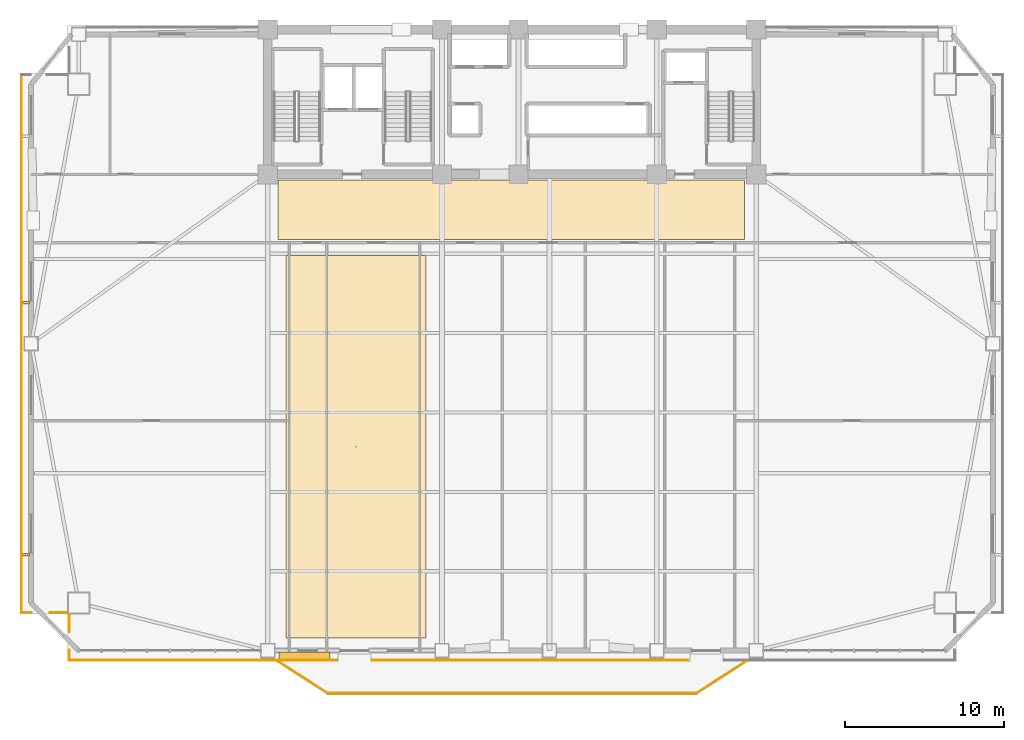
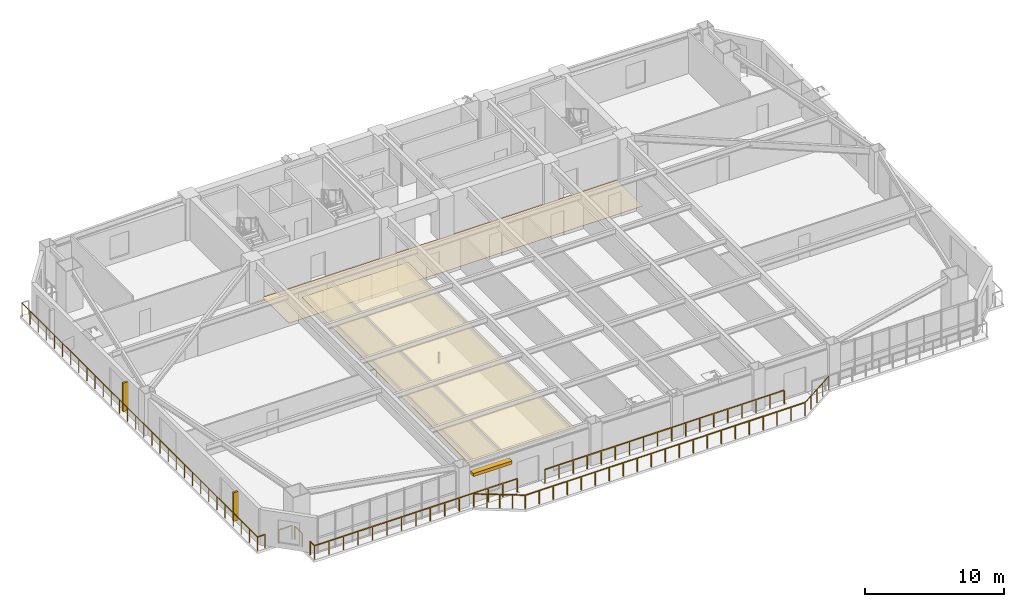
# One storey, part 12 of 15: 10 railings, 3 shading devices, 2 coverings.
"""IFC4 building model written with IfcOpenShell, lengths in metres."""

from ifc_helpers import new_model, si_unit, direction, frame, origin, origin_2d, place, context, subcontext, project, spatial, polyline, rectangle, outline, extrude, source, transform, mapped, material, layer, layer_set, type_object, element, save


model = new_model("IFC4")

# Units and contexts
model_context = context("Model", 3, precision=1e-05, world=origin(), true_north=direction((0.0, 1.0)))
body_context = subcontext(model_context, "Body", "Model", "MODEL_VIEW")
ifc_project = project(units=[si_unit("LENGTHUNIT", "METRE"), si_unit("AREAUNIT", "SQUARE_METRE"), si_unit("VOLUMEUNIT", "CUBIC_METRE"), si_unit("PLANEANGLEUNIT", "RADIAN"), si_unit("MASSUNIT", "GRAM", prefix="KILO")], contexts=[model_context])

# Site, building, storey
site_placement = place(None, origin())
site = spatial("IfcSite", under=ifc_project, at=site_placement, CompositionType="ELEMENT")
building_placement = place(site_placement, origin())
building = spatial("IfcBuilding", under=site, at=building_placement, Name="Giltprow Tower", CompositionType="ELEMENT")
storey_placement = place(building_placement, frame((0.0, 0.0, 127.0)))
storey = spatial("IfcBuildingStorey", under=building, at=storey_placement, Name="L31", CompositionType="ELEMENT", Elevation=127.0)

# Coverings
ifc_material_1 = material(Name="Acoustic mineral fibre", Category="gypsum")
ifc_layer_1 = layer(ifc_material_1, 0.030029296875, Name="Acoustic mineral fibre")
ifc_layer_set_1 = layer_set([ifc_layer_1], Name="Acoustic mineral fibre")
covering_type_1 = type_object("IfcCoveringType", Name="COV-CLG-ACOUSTIC", PredefinedType="CEILING", material=ifc_layer_set_1)
covering_1_placement = place(storey_placement, frame((0.0, 0.0, 2.719970703125)))
element("IfcCovering", 1, at=covering_1_placement, inside=storey, type_object=covering_type_1, Name="L31 Office Acoustic Ceiling", PredefinedType="CEILING", context=body_context, shape_type="SweptSolid", body=[
    extrude(outline(polyline([(21.0, 8.318115234375), (29.800048828125, 8.318115234375), (29.800048828125, 32.35009765625), (21.0, 32.35009765625), (21.0, 8.318115234375)])), origin(), (0.0, 0.0, 1.0), 0.030029296875),
])
ifc_material_2 = material(Name="Honed granite", Category="masonry")
ifc_layer_2 = layer(ifc_material_2, 0.030029296875, Name="Honed granite")
ifc_layer_set_2 = layer_set([ifc_layer_2], Name="Honed granite")
covering_type_2 = type_object("IfcCoveringType", Name="COV-FLR-STONE", PredefinedType="FLOORING", material=ifc_layer_set_2)
covering_2_placement = place(storey_placement, origin())
element("IfcCovering", 2, at=covering_2_placement, inside=storey, type_object=covering_type_2, Name="L31 Office Corridor Stone Flooring", PredefinedType="FLOORING", context=body_context, shape_type="SweptSolid", body=[
    extrude(outline(polyline([(20.5, 33.35009765625), (49.800048828125, 33.35009765625), (49.800048828125, 37.10009765625), (20.5, 37.10009765625), (20.5, 33.35009765625)])), origin(), (0.0, 0.0, 1.0), 0.030029296875),
])

# Railings
ifc_material_3 = material(Name="Anodized bronze", Category="metal")
railing_type = type_object("IfcRailingType", Name="RAIL-BALC-GUARD-1200", PredefinedType="BALUSTRADE", material=ifc_material_3)
railing_1_placement = place(storey_placement, frame((20.52001953125, 6.818115234375, 0.0)))
element("IfcRailing", 3, at=railing_1_placement, inside=storey, type_object=railing_type, Name="L31 Waterfront Balcony Balustrade Seg 1", PredefinedType="BALUSTRADE", context=body_context, shape_type="SweptSolid", body=[
    extrude(rectangle(XDim=0.048095703125, YDim=0.048095703125, at=origin_2d()), frame((0.0, 0.0, 1.17578125), z_axis=(0.842744768896, -0.5383133423, 0.0), x_axis=(0.5383133423, 0.842744768896, 0.0)), (0.0, 0.0, 1.0), 3.678466796875),
    extrude(rectangle(XDim=0.0419921875, YDim=0.0419921875, at=origin_2d()), origin(), (0.0, 0.0, 1.0), 1.15185546875),
    extrude(rectangle(XDim=0.0419921875, YDim=0.0419921875, at=origin_2d()), frame((0.77490234375, -0.4951171875, 0.0)), (0.0, 0.0, 1.0), 1.15185546875),
    extrude(rectangle(XDim=0.0419921875, YDim=0.0419921875, at=origin_2d()), frame((1.550048828125, -0.990234375, 0.0)), (0.0, 0.0, 1.0), 1.15185546875),
    extrude(rectangle(XDim=0.0419921875, YDim=0.0419921875, at=origin_2d()), frame((2.3251953125, -1.485107421875, 0.0)), (0.0, 0.0, 1.0), 1.15185546875),
    extrude(rectangle(XDim=0.0419921875, YDim=0.0419921875, at=origin_2d()), frame((3.10009765625, -1.980224609375, 0.0)), (0.0, 0.0, 1.0), 1.15185546875),
])
railing_2_placement = place(storey_placement, frame((23.6201171875, 4.837890625, 0.0)))
element("IfcRailing", 4, at=railing_2_placement, inside=storey, type_object=railing_type, Name="L31 Waterfront Balcony Balustrade Seg 2", PredefinedType="BALUSTRADE", context=body_context, shape_type="SweptSolid", body=[
    extrude(rectangle(XDim=0.048095703125, YDim=0.048095703125, at=origin_2d()), frame((0.0, 0.0, 1.17578125), z_axis=(1.0, 0.0, 0.0), x_axis=(0.0, 1.0, 0.0)), (0.0, 0.0, 1.0), 23.159912109375),
    extrude(rectangle(XDim=0.0419921875, YDim=0.0419921875, at=origin_2d()), origin(), (0.0, 0.0, 1.0), 1.15185546875),
    extrude(rectangle(XDim=0.0419921875, YDim=0.0419921875, at=origin_2d()), frame((1.157958984375, 0.0, 0.0)), (0.0, 0.0, 1.0), 1.15185546875),
    extrude(rectangle(XDim=0.0419921875, YDim=0.0419921875, at=origin_2d()), frame((2.31591796875, 0.0, 0.0)), (0.0, 0.0, 1.0), 1.15185546875),
    extrude(rectangle(XDim=0.0419921875, YDim=0.0419921875, at=origin_2d()), frame((3.473876953125, 0.0, 0.0)), (0.0, 0.0, 1.0), 1.15185546875),
    extrude(rectangle(XDim=0.0419921875, YDim=0.0419921875, at=origin_2d()), frame((4.632080078125, 0.0, 0.0)), (0.0, 0.0, 1.0), 1.15185546875),
    extrude(rectangle(XDim=0.0419921875, YDim=0.0419921875, at=origin_2d()), frame((5.7900390625, 0.0, 0.0)), (0.0, 0.0, 1.0), 1.15185546875),
    extrude(rectangle(XDim=0.0419921875, YDim=0.0419921875, at=origin_2d()), frame((6.947998046875, 0.0, 0.0)), (0.0, 0.0, 1.0), 1.15185546875),
    extrude(rectangle(XDim=0.0419921875, YDim=0.0419921875, at=origin_2d()), frame((8.10595703125, 0.0, 0.0)), (0.0, 0.0, 1.0), 1.15185546875),
    extrude(rectangle(XDim=0.0419921875, YDim=0.0419921875, at=origin_2d()), frame((9.263916015625, 0.0, 0.0)), (0.0, 0.0, 1.0), 1.15185546875),
    extrude(rectangle(XDim=0.0419921875, YDim=0.0419921875, at=origin_2d()), frame((10.421875, 0.0, 0.0)), (0.0, 0.0, 1.0), 1.15185546875),
    extrude(rectangle(XDim=0.0419921875, YDim=0.0419921875, at=origin_2d()), frame((11.580078125, 0.0, 0.0)), (0.0, 0.0, 1.0), 1.15185546875),
    extrude(rectangle(XDim=0.0419921875, YDim=0.0419921875, at=origin_2d()), frame((12.738037109375, 0.0, 0.0)), (0.0, 0.0, 1.0), 1.15185546875),
    extrude(rectangle(XDim=0.0419921875, YDim=0.0419921875, at=origin_2d()), frame((13.89599609375, 0.0, 0.0)), (0.0, 0.0, 1.0), 1.15185546875),
    extrude(rectangle(XDim=0.0419921875, YDim=0.0419921875, at=origin_2d()), frame((15.053955078125, 0.0, 0.0)), (0.0, 0.0, 1.0), 1.15185546875),
    extrude(rectangle(XDim=0.0419921875, YDim=0.0419921875, at=origin_2d()), frame((16.2119140625, 0.0, 0.0)), (0.0, 0.0, 1.0), 1.15185546875),
    extrude(rectangle(XDim=0.0419921875, YDim=0.0419921875, at=origin_2d()), frame((17.369873046875, 0.0, 0.0)), (0.0, 0.0, 1.0), 1.15185546875),
    extrude(rectangle(XDim=0.0419921875, YDim=0.0419921875, at=origin_2d()), frame((18.52783203125, 0.0, 0.0)), (0.0, 0.0, 1.0), 1.15185546875),
    extrude(rectangle(XDim=0.0419921875, YDim=0.0419921875, at=origin_2d()), frame((19.68603515625, 0.0, 0.0)), (0.0, 0.0, 1.0), 1.15185546875),
    extrude(rectangle(XDim=0.0419921875, YDim=0.0419921875, at=origin_2d()), frame((20.843994140625, 0.0, 0.0)), (0.0, 0.0, 1.0), 1.15185546875),
    extrude(rectangle(XDim=0.0419921875, YDim=0.0419921875, at=origin_2d()), frame((22.001953125, 0.0, 0.0)), (0.0, 0.0, 1.0), 1.15185546875),
    extrude(rectangle(XDim=0.0419921875, YDim=0.0419921875, at=origin_2d()), frame((23.159912109375, 0.0, 0.0)), (0.0, 0.0, 1.0), 1.15185546875),
])
railing_3_placement = place(storey_placement, frame((46.780029296875, 4.837890625, 0.0)))
element("IfcRailing", 5, at=railing_3_placement, inside=storey, type_object=railing_type, Name="L31 Waterfront Balcony Balustrade Seg 3", PredefinedType="BALUSTRADE", context=body_context, shape_type="SweptSolid", body=[
    extrude(rectangle(XDim=0.048095703125, YDim=0.048095703125, at=origin_2d()), frame((0.0, 0.0, 1.17578125), z_axis=(0.842725534991, 0.538343452336, 0.0), x_axis=(-0.538343452336, 0.842725534991, 0.0)), (0.0, 0.0, 1.0), 3.678466796875),
    extrude(rectangle(XDim=0.0419921875, YDim=0.0419921875, at=origin_2d()), origin(), (0.0, 0.0, 1.0), 1.15185546875),
    extrude(rectangle(XDim=0.0419921875, YDim=0.0419921875, at=origin_2d()), frame((0.77490234375, 0.4951171875, 0.0)), (0.0, 0.0, 1.0), 1.15185546875),
    extrude(rectangle(XDim=0.0419921875, YDim=0.0419921875, at=origin_2d()), frame((1.5498046875, 0.990234375, 0.0)), (0.0, 0.0, 1.0), 1.15185546875),
    extrude(rectangle(XDim=0.0419921875, YDim=0.0419921875, at=origin_2d()), frame((2.324951171875, 1.485107421875, 0.0)), (0.0, 0.0, 1.0), 1.15185546875),
    extrude(rectangle(XDim=0.0419921875, YDim=0.0419921875, at=origin_2d()), frame((3.099853515625, 1.980224609375, 0.0)), (0.0, 0.0, 1.0), 1.15185546875),
])
railing_4_placement = place(storey_placement, frame((7.3701171875, 6.91796875, 0.0)))
element("IfcRailing", 6, at=railing_4_placement, inside=storey, type_object=railing_type, Name="L31 Corner Apron Edge Balustrade 1", PredefinedType="BALUSTRADE", context=body_context, shape_type="SweptSolid", body=[
    extrude(rectangle(XDim=0.048095703125, YDim=0.048095703125, at=origin_2d()), frame((0.0, 0.0, 1.17578125), z_axis=(0.0, 1.0, 0.0), x_axis=(-1.0, 0.0, 0.0)), (0.0, 0.0, 1.0), 0.6201171875),
    extrude(rectangle(XDim=0.0419921875, YDim=0.0419921875, at=origin_2d()), origin(), (0.0, 0.0, 1.0), 1.15185546875),
    extrude(rectangle(XDim=0.0419921875, YDim=0.0419921875, at=origin_2d()), frame((0.0, 0.6201171875, 0.0)), (0.0, 0.0, 1.0), 1.15185546875),
])
railing_5_placement = place(storey_placement, frame((7.3701171875, 8.697998046875, 0.0)))
element("IfcRailing", 7, at=railing_5_placement, inside=storey, type_object=railing_type, Name="L31 Corner Apron Edge Balustrade 2", PredefinedType="BALUSTRADE", context=body_context, shape_type="SweptSolid", body=[
    extrude(rectangle(XDim=0.048095703125, YDim=0.048095703125, at=origin_2d()), frame((0.0, 0.0, 1.17578125), z_axis=(0.0, 1.0, 0.0), x_axis=(-1.0, 0.0, 0.0)), (0.0, 0.0, 1.0), 1.075927734375),
    extrude(rectangle(XDim=0.0419921875, YDim=0.0419921875, at=origin_2d()), origin(), (0.0, 0.0, 1.0), 1.15185546875),
    extrude(rectangle(XDim=0.0419921875, YDim=0.0419921875, at=origin_2d()), frame((0.0, 1.075927734375, 0.0)), (0.0, 0.0, 1.0), 1.15185546875),
])
railing_6_placement = place(storey_placement, frame((7.235107421875, 9.908935546875, 0.0)))
element("IfcRailing", 8, at=railing_6_placement, inside=storey, type_object=railing_type, Name="L31 Corner Apron Edge Balustrade 3", PredefinedType="BALUSTRADE", context=body_context, shape_type="SweptSolid", body=[
    extrude(rectangle(XDim=0.048095703125, YDim=0.048095703125, at=origin_2d()), frame((0.0, 0.0, 1.17578125), z_axis=(-1.0, 0.0, 0.0), x_axis=(0.0, -1.0, 0.0)), (0.0, 0.0, 1.0), 1.076171875),
    extrude(rectangle(XDim=0.0419921875, YDim=0.0419921875, at=origin_2d()), origin(), (0.0, 0.0, 1.0), 1.15185546875),
    extrude(rectangle(XDim=0.0419921875, YDim=0.0419921875, at=origin_2d()), frame((-1.076171875, 0.0, 0.0)), (0.0, 0.0, 1.0), 1.15185546875),
])
railing_7_placement = place(storey_placement, frame((4.9990234375, 9.908935546875, 0.0)))
element("IfcRailing", 9, at=railing_7_placement, inside=storey, type_object=railing_type, Name="L31 Corner Apron Edge Balustrade 4", PredefinedType="BALUSTRADE", context=body_context, shape_type="SweptSolid", body=[
    extrude(rectangle(XDim=0.048095703125, YDim=0.048095703125, at=origin_2d()), frame((0.0, 0.0, 1.17578125), z_axis=(-1.0, 0.0, 0.0), x_axis=(0.0, -1.0, 0.0)), (0.0, 0.0, 1.0), 0.6201171875),
    extrude(rectangle(XDim=0.0419921875, YDim=0.0419921875, at=origin_2d()), origin(), (0.0, 0.0, 1.0), 1.15185546875),
    extrude(rectangle(XDim=0.0419921875, YDim=0.0419921875, at=origin_2d()), frame((-0.6201171875, 0.0, 0.0)), (0.0, 0.0, 1.0), 1.15185546875),
])
railing_8_placement = place(storey_placement, frame((4.37890625, 9.908935546875, 0.0)))
element("IfcRailing", 10, at=railing_8_placement, inside=storey, type_object=railing_type, Name="L31 Corner Apron Edge Balustrade 5", PredefinedType="BALUSTRADE", context=body_context, shape_type="SweptSolid", body=[
    extrude(rectangle(XDim=0.048095703125, YDim=0.048095703125, at=origin_2d()), frame((0.0, 0.0, 1.17578125), z_axis=(0.0, 1.0, 0.0), x_axis=(-1.0, 0.0, 0.0)), (0.0, 0.0, 1.0), 33.800048828125),
    extrude(rectangle(XDim=0.0419921875, YDim=0.0419921875, at=origin_2d()), origin(), (0.0, 0.0, 1.0), 1.15185546875),
    extrude(rectangle(XDim=0.0419921875, YDim=0.0419921875, at=origin_2d()), frame((0.0, 1.16552734375, 0.0)), (0.0, 0.0, 1.0), 1.15185546875),
    extrude(rectangle(XDim=0.0419921875, YDim=0.0419921875, at=origin_2d()), frame((0.0, 2.3310546875, 0.0)), (0.0, 0.0, 1.0), 1.15185546875),
    extrude(rectangle(XDim=0.0419921875, YDim=0.0419921875, at=origin_2d()), frame((0.0, 3.49658203125, 0.0)), (0.0, 0.0, 1.0), 1.15185546875),
    extrude(rectangle(XDim=0.0419921875, YDim=0.0419921875, at=origin_2d()), frame((0.0, 4.662109375, 0.0)), (0.0, 0.0, 1.0), 1.15185546875),
    extrude(rectangle(XDim=0.0419921875, YDim=0.0419921875, at=origin_2d()), frame((0.0, 5.82763671875, 0.0)), (0.0, 0.0, 1.0), 1.15185546875),
    extrude(rectangle(XDim=0.0419921875, YDim=0.0419921875, at=origin_2d()), frame((0.0, 6.9931640625, 0.0)), (0.0, 0.0, 1.0), 1.15185546875),
    extrude(rectangle(XDim=0.0419921875, YDim=0.0419921875, at=origin_2d()), frame((0.0, 8.15869140625, 0.0)), (0.0, 0.0, 1.0), 1.15185546875),
    extrude(rectangle(XDim=0.0419921875, YDim=0.0419921875, at=origin_2d()), frame((0.0, 9.32421875, 0.0)), (0.0, 0.0, 1.0), 1.15185546875),
    extrude(rectangle(XDim=0.0419921875, YDim=0.0419921875, at=origin_2d()), frame((0.0, 10.48974609375, 0.0)), (0.0, 0.0, 1.0), 1.15185546875),
    extrude(rectangle(XDim=0.0419921875, YDim=0.0419921875, at=origin_2d()), frame((0.0, 11.6552734375, 0.0)), (0.0, 0.0, 1.0), 1.15185546875),
    extrude(rectangle(XDim=0.0419921875, YDim=0.0419921875, at=origin_2d()), frame((0.0, 12.82080078125, 0.0)), (0.0, 0.0, 1.0), 1.15185546875),
    extrude(rectangle(XDim=0.0419921875, YDim=0.0419921875, at=origin_2d()), frame((0.0, 13.986328125, 0.0)), (0.0, 0.0, 1.0), 1.15185546875),
    extrude(rectangle(XDim=0.0419921875, YDim=0.0419921875, at=origin_2d()), frame((0.0, 15.15185546875, 0.0)), (0.0, 0.0, 1.0), 1.15185546875),
    extrude(rectangle(XDim=0.0419921875, YDim=0.0419921875, at=origin_2d()), frame((0.0, 16.3173828125, 0.0)), (0.0, 0.0, 1.0), 1.15185546875),
    extrude(rectangle(XDim=0.0419921875, YDim=0.0419921875, at=origin_2d()), frame((0.0, 17.482666015625, 0.0)), (0.0, 0.0, 1.0), 1.15185546875),
    extrude(rectangle(XDim=0.0419921875, YDim=0.0419921875, at=origin_2d()), frame((0.0, 18.648193359375, 0.0)), (0.0, 0.0, 1.0), 1.15185546875),
    extrude(rectangle(XDim=0.0419921875, YDim=0.0419921875, at=origin_2d()), frame((0.0, 19.813720703125, 0.0)), (0.0, 0.0, 1.0), 1.15185546875),
    extrude(rectangle(XDim=0.0419921875, YDim=0.0419921875, at=origin_2d()), frame((0.0, 20.979248046875, 0.0)), (0.0, 0.0, 1.0), 1.15185546875),
    extrude(rectangle(XDim=0.0419921875, YDim=0.0419921875, at=origin_2d()), frame((0.0, 22.144775390625, 0.0)), (0.0, 0.0, 1.0), 1.15185546875),
    extrude(rectangle(XDim=0.0419921875, YDim=0.0419921875, at=origin_2d()), frame((0.0, 23.310302734375, 0.0)), (0.0, 0.0, 1.0), 1.15185546875),
    extrude(rectangle(XDim=0.0419921875, YDim=0.0419921875, at=origin_2d()), frame((0.0, 24.475830078125, 0.0)), (0.0, 0.0, 1.0), 1.15185546875),
    extrude(rectangle(XDim=0.0419921875, YDim=0.0419921875, at=origin_2d()), frame((0.0, 25.641357421875, 0.0)), (0.0, 0.0, 1.0), 1.15185546875),
    extrude(rectangle(XDim=0.0419921875, YDim=0.0419921875, at=origin_2d()), frame((0.0, 26.806884765625, 0.0)), (0.0, 0.0, 1.0), 1.15185546875),
    extrude(rectangle(XDim=0.0419921875, YDim=0.0419921875, at=origin_2d()), frame((0.0, 27.972412109375, 0.0)), (0.0, 0.0, 1.0), 1.15185546875),
    extrude(rectangle(XDim=0.0419921875, YDim=0.0419921875, at=origin_2d()), frame((0.0, 29.137939453125, 0.0)), (0.0, 0.0, 1.0), 1.15185546875),
    extrude(rectangle(XDim=0.0419921875, YDim=0.0419921875, at=origin_2d()), frame((0.0, 30.303466796875, 0.0)), (0.0, 0.0, 1.0), 1.15185546875),
    extrude(rectangle(XDim=0.0419921875, YDim=0.0419921875, at=origin_2d()), frame((0.0, 31.468994140625, 0.0)), (0.0, 0.0, 1.0), 1.15185546875),
    extrude(rectangle(XDim=0.0419921875, YDim=0.0419921875, at=origin_2d()), frame((0.0, 32.634521484375, 0.0)), (0.0, 0.0, 1.0), 1.15185546875),
    extrude(rectangle(XDim=0.0419921875, YDim=0.0419921875, at=origin_2d()), frame((0.0, 33.800048828125, 0.0)), (0.0, 0.0, 1.0), 1.15185546875),
])
railing_9_placement = place(storey_placement, frame((46.25, 6.91796875, 0.0)))
element("IfcRailing", 11, at=railing_9_placement, inside=storey, type_object=railing_type, Name="L31 Corner Apron Edge Balustrade 20", PredefinedType="BALUSTRADE", context=body_context, shape_type="SweptSolid", body=[
    extrude(rectangle(XDim=0.048095703125, YDim=0.048095703125, at=origin_2d()), frame((0.0, 0.0, 1.17578125), z_axis=(-1.0, 0.0, 0.0), x_axis=(0.0, -1.0, 0.0)), (0.0, 0.0, 1.0), 19.800048828125),
    extrude(rectangle(XDim=0.0419921875, YDim=0.0419921875, at=origin_2d()), origin(), (0.0, 0.0, 1.0), 1.15185546875),
    extrude(rectangle(XDim=0.0419921875, YDim=0.0419921875, at=origin_2d()), frame((-1.164794921875, 0.0, 0.0)), (0.0, 0.0, 1.0), 1.15185546875),
    extrude(rectangle(XDim=0.0419921875, YDim=0.0419921875, at=origin_2d()), frame((-2.329345703125, 0.0, 0.0)), (0.0, 0.0, 1.0), 1.15185546875),
    extrude(rectangle(XDim=0.0419921875, YDim=0.0419921875, at=origin_2d()), frame((-3.494140625, 0.0, 0.0)), (0.0, 0.0, 1.0), 1.15185546875),
    extrude(rectangle(XDim=0.0419921875, YDim=0.0419921875, at=origin_2d()), frame((-4.658935546875, 0.0, 0.0)), (0.0, 0.0, 1.0), 1.15185546875),
    extrude(rectangle(XDim=0.0419921875, YDim=0.0419921875, at=origin_2d()), frame((-5.823486328125, 0.0, 0.0)), (0.0, 0.0, 1.0), 1.15185546875),
    extrude(rectangle(XDim=0.0419921875, YDim=0.0419921875, at=origin_2d()), frame((-6.98828125, 0.0, 0.0)), (0.0, 0.0, 1.0), 1.15185546875),
    extrude(rectangle(XDim=0.0419921875, YDim=0.0419921875, at=origin_2d()), frame((-8.153076171875, 0.0, 0.0)), (0.0, 0.0, 1.0), 1.15185546875),
    extrude(rectangle(XDim=0.0419921875, YDim=0.0419921875, at=origin_2d()), frame((-9.317626953125, 0.0, 0.0)), (0.0, 0.0, 1.0), 1.15185546875),
    extrude(rectangle(XDim=0.0419921875, YDim=0.0419921875, at=origin_2d()), frame((-10.482421875, 0.0, 0.0)), (0.0, 0.0, 1.0), 1.15185546875),
    extrude(rectangle(XDim=0.0419921875, YDim=0.0419921875, at=origin_2d()), frame((-11.64697265625, 0.0, 0.0)), (0.0, 0.0, 1.0), 1.15185546875),
    extrude(rectangle(XDim=0.0419921875, YDim=0.0419921875, at=origin_2d()), frame((-12.811767578125, 0.0, 0.0)), (0.0, 0.0, 1.0), 1.15185546875),
    extrude(rectangle(XDim=0.0419921875, YDim=0.0419921875, at=origin_2d()), frame((-13.9765625, 0.0, 0.0)), (0.0, 0.0, 1.0), 1.15185546875),
    extrude(rectangle(XDim=0.0419921875, YDim=0.0419921875, at=origin_2d()), frame((-15.14111328125, 0.0, 0.0)), (0.0, 0.0, 1.0), 1.15185546875),
    extrude(rectangle(XDim=0.0419921875, YDim=0.0419921875, at=origin_2d()), frame((-16.305908203125, 0.0, 0.0)), (0.0, 0.0, 1.0), 1.15185546875),
    extrude(rectangle(XDim=0.0419921875, YDim=0.0419921875, at=origin_2d()), frame((-17.470703125, 0.0, 0.0)), (0.0, 0.0, 1.0), 1.15185546875),
    extrude(rectangle(XDim=0.0419921875, YDim=0.0419921875, at=origin_2d()), frame((-18.63525390625, 0.0, 0.0)), (0.0, 0.0, 1.0), 1.15185546875),
    extrude(rectangle(XDim=0.0419921875, YDim=0.0419921875, at=origin_2d()), frame((-19.800048828125, 0.0, 0.0)), (0.0, 0.0, 1.0), 1.15185546875),
])
railing_10_placement = place(storey_placement, frame((24.14990234375, 6.91796875, 0.0)))
element("IfcRailing", 12, at=railing_10_placement, inside=storey, type_object=railing_type, Name="L31 Corner Apron Edge Balustrade 21", PredefinedType="BALUSTRADE", context=body_context, shape_type="SweptSolid", body=[
    extrude(rectangle(XDim=0.048095703125, YDim=0.048095703125, at=origin_2d()), frame((0.0, 0.0, 1.17578125), z_axis=(-1.0, 0.0, 0.0), x_axis=(0.0, -1.0, 0.0)), (0.0, 0.0, 1.0), 16.77978515625),
    extrude(rectangle(XDim=0.0419921875, YDim=0.0419921875, at=origin_2d()), origin(), (0.0, 0.0, 1.0), 1.15185546875),
    extrude(rectangle(XDim=0.0419921875, YDim=0.0419921875, at=origin_2d()), frame((-1.198486328125, 0.0, 0.0)), (0.0, 0.0, 1.0), 1.15185546875),
    extrude(rectangle(XDim=0.0419921875, YDim=0.0419921875, at=origin_2d()), frame((-2.397216796875, 0.0, 0.0)), (0.0, 0.0, 1.0), 1.15185546875),
    extrude(rectangle(XDim=0.0419921875, YDim=0.0419921875, at=origin_2d()), frame((-3.595703125, 0.0, 0.0)), (0.0, 0.0, 1.0), 1.15185546875),
    extrude(rectangle(XDim=0.0419921875, YDim=0.0419921875, at=origin_2d()), frame((-4.794189453125, 0.0, 0.0)), (0.0, 0.0, 1.0), 1.15185546875),
    extrude(rectangle(XDim=0.0419921875, YDim=0.0419921875, at=origin_2d()), frame((-5.99267578125, 0.0, 0.0)), (0.0, 0.0, 1.0), 1.15185546875),
    extrude(rectangle(XDim=0.0419921875, YDim=0.0419921875, at=origin_2d()), frame((-7.19140625, 0.0, 0.0)), (0.0, 0.0, 1.0), 1.15185546875),
    extrude(rectangle(XDim=0.0419921875, YDim=0.0419921875, at=origin_2d()), frame((-8.389892578125, 0.0, 0.0)), (0.0, 0.0, 1.0), 1.15185546875),
    extrude(rectangle(XDim=0.0419921875, YDim=0.0419921875, at=origin_2d()), frame((-9.58837890625, 0.0, 0.0)), (0.0, 0.0, 1.0), 1.15185546875),
    extrude(rectangle(XDim=0.0419921875, YDim=0.0419921875, at=origin_2d()), frame((-10.787109375, 0.0, 0.0)), (0.0, 0.0, 1.0), 1.15185546875),
    extrude(rectangle(XDim=0.0419921875, YDim=0.0419921875, at=origin_2d()), frame((-11.985595703125, 0.0, 0.0)), (0.0, 0.0, 1.0), 1.15185546875),
    extrude(rectangle(XDim=0.0419921875, YDim=0.0419921875, at=origin_2d()), frame((-13.18408203125, 0.0, 0.0)), (0.0, 0.0, 1.0), 1.15185546875),
    extrude(rectangle(XDim=0.0419921875, YDim=0.0419921875, at=origin_2d()), frame((-14.382568359375, 0.0, 0.0)), (0.0, 0.0, 1.0), 1.15185546875),
    extrude(rectangle(XDim=0.0419921875, YDim=0.0419921875, at=origin_2d()), frame((-15.581298828125, 0.0, 0.0)), (0.0, 0.0, 1.0), 1.15185546875),
    extrude(rectangle(XDim=0.0419921875, YDim=0.0419921875, at=origin_2d()), frame((-16.77978515625, 0.0, 0.0)), (0.0, 0.0, 1.0), 1.15185546875),
])

# Shading devices
shading_device_type_1 = type_object("IfcShadingDeviceType", Name="SHD-FIN-420", PredefinedType="USERDEFINED", material=ifc_material_3)
shared_shape_1 = source(origin(), body_context, "Body", "SweptSolid", [
    extrude(rectangle(XDim=0.419921875, YDim=0.159912109375, at=origin_2d()), origin(), (0.0, 0.0, 1.0), 2.5),
])
for number, where, z_axis, x_axis, name in (
    (13, (4.658935546875, 13.550048828125, 0.35009765625), (0.0, 0.0, 1.0), (1.0, 0.0, 0.0), "L31 W Bronze Vertical Fin 1-1"),
    (14, (4.658935546875, 29.3798828125, 0.35009765625), (0.0, 0.0, 1.0), (1.0, 0.0, 0.0), "L31 W Bronze Vertical Fin 2-1"),
):
    element("IfcShadingDevice", number, at=place(storey_placement, frame(where, z_axis=z_axis, x_axis=x_axis)), inside=storey, type_object=shading_device_type_1, Name=name, ObjectType="FIN", PredefinedType="USERDEFINED", context=body_context, shape_type="MappedRepresentation", body=[
        mapped(shared_shape_1, transform((0.0, 0.0, 0.0), x_axis=(1.0, 0.0, 0.0), y_axis=(0.0, 1.0, 0.0), z_axis=(0.0, 0.0, 1.0), scale=1.0)),
    ])
shading_device_type_2 = type_object("IfcShadingDeviceType", Name="SHD-LOUVRE-320", PredefinedType="JALOUSIE", material=ifc_material_3)
shared_shape_2 = source(origin(), body_context, "Body", "SweptSolid", [
    extrude(rectangle(XDim=3.199951171875, YDim=0.449951171875, at=origin_2d()), origin(), (0.0, 0.0, 1.0), 0.280029296875),
])
shading_device_placement = place(storey_placement, frame((22.14990234375, 7.197998046875, 2.56005859375), z_axis=(0.0, 0.0, 1.0), x_axis=(1.0, 0.0, 0.0)))
element("IfcShadingDevice", 15, at=shading_device_placement, inside=storey, type_object=shading_device_type_2, Name="L31 Bronze Sunshade Louvre S-2", PredefinedType="JALOUSIE", context=body_context, shape_type="MappedRepresentation", body=[
    mapped(shared_shape_2, transform((0.0, 0.0, 0.0), x_axis=(1.0, 0.0, 0.0), y_axis=(0.0, 1.0, 0.0), z_axis=(0.0, 0.0, 1.0), scale=1.0)),
])

save(model, "model.ifc")
